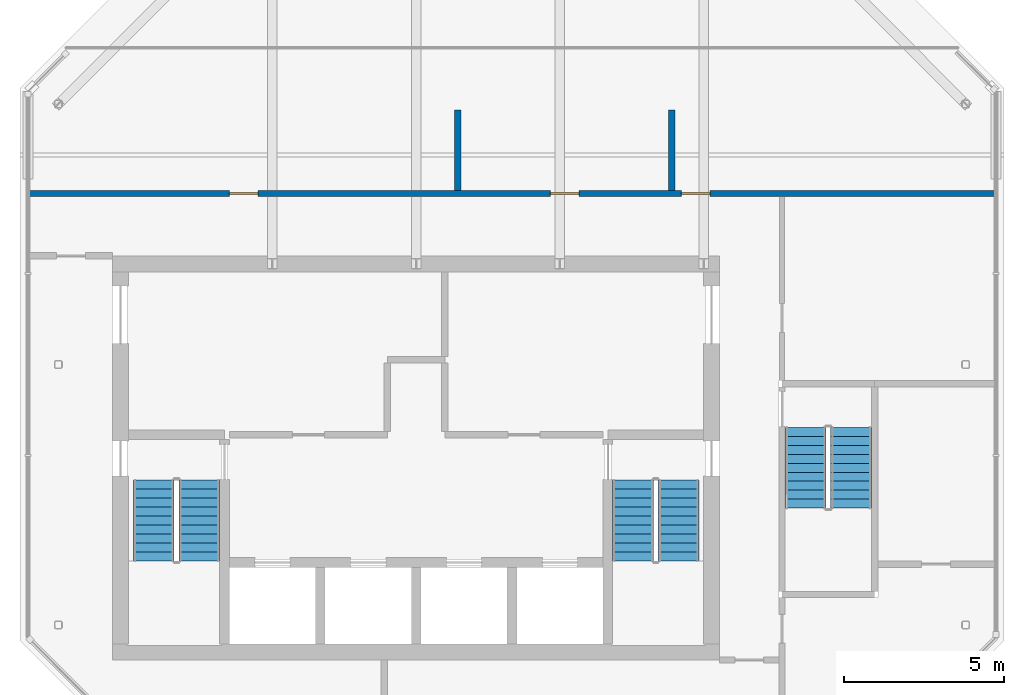
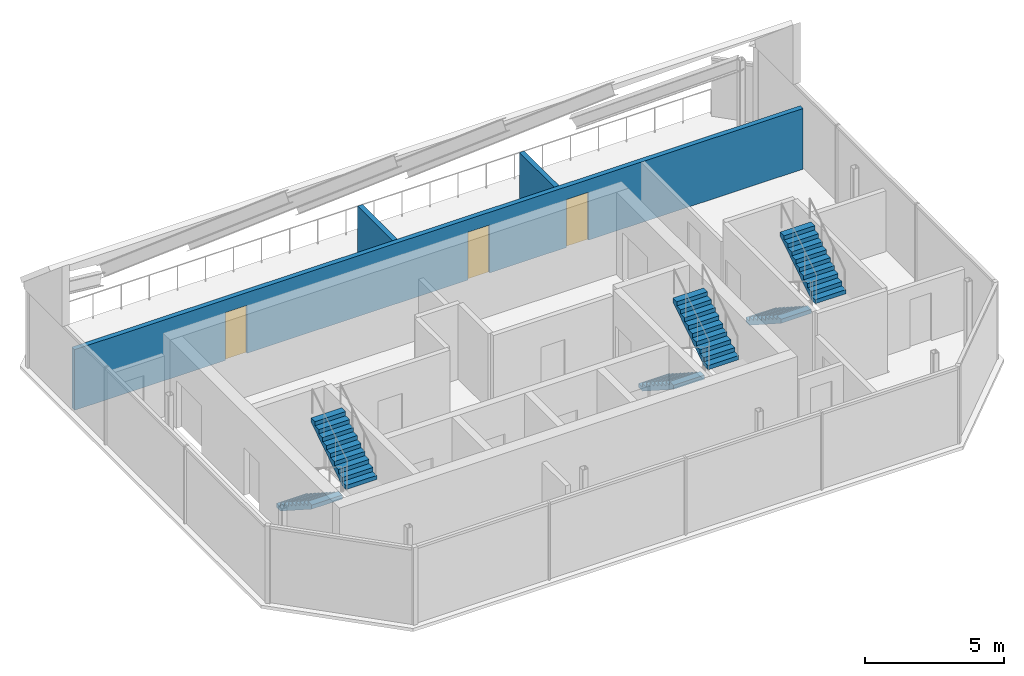
# One storey, part 4 of 5: 6 stair flights, 3 doors, 3 walls, 3 openings, 3 elements without a shape of their own.
"""IFC4 building model written with IfcOpenShell, lengths in metres."""

from ifc_helpers import new_model, si_unit, direction, frame, frame_2d, origin, place, context, subcontext, project, spatial, polyline, rectangle, outline, extrude, material, layer, layer_set, type_object, element, fill, aggregate, save


model = new_model("IFC4")

# Units and contexts
model_context = context("Model", 3, precision=1e-05, world=origin(), true_north=direction((0.0, 1.0)))
body_context = subcontext(model_context, "Body", "Model", "MODEL_VIEW")
ifc_project = project(units=[si_unit("LENGTHUNIT", "METRE"), si_unit("AREAUNIT", "SQUARE_METRE"), si_unit("VOLUMEUNIT", "CUBIC_METRE"), si_unit("PLANEANGLEUNIT", "RADIAN"), si_unit("MASSUNIT", "GRAM", prefix="KILO")], contexts=[model_context])

# Site, building, storey
site_placement = place(None, origin())
site = spatial("IfcSite", under=ifc_project, at=site_placement, CompositionType="ELEMENT")
building_placement = place(site_placement, origin())
building = spatial("IfcBuilding", under=site, at=building_placement, Name="Tskaro Facet Tower", CompositionType="ELEMENT")
storey_placement = place(building_placement, frame((0.0, 0.0, 304.5)))
storey = spatial("IfcBuildingStorey", under=building, at=storey_placement, Name="L82", CompositionType="ELEMENT", Elevation=304.5)

# Wall, openings, doors
ifc_material_1 = material(Name="Concrete C20/25", Category="concrete")
ifc_layer = layer(ifc_material_1, 0.199951171875, Name="Concrete C20/25")
ifc_layer_set = layer_set([ifc_layer], Name="Concrete C20/25")
wall_type = type_object("IfcWallType", Name="WALL-RISER", PredefinedType="SOLIDWALL", material=ifc_layer_set)
wall_placement = place(storey_placement, frame((-12.10009765625, 2.60009765625, 0.0), z_axis=(0.0, 0.0, 1.0), x_axis=(1.0, 0.0, 0.0)))
wall = element("IfcWall", 1, at=wall_placement, inside=storey, type_object=wall_type, Name="Riser room wall W013", PredefinedType="SOLIDWALL", context=body_context, shape_type="SweptSolid", body=[
    extrude(rectangle(XDim=30.2001953125, YDim=0.199951171875, at=frame_2d((15.10009765625, 0.0))), origin(), (0.0, 0.0, 1.0), 2.659912109375),
])
opening_1_placement = place(wall_placement, frame((6.25, 0.0, 0.0)))
opening_1 = element("IfcOpeningElement", 2, at=opening_1_placement, cuts=wall, Name="Opening C82-D10", PredefinedType="OPENING", context=body_context, shape_type="SweptSolid", body=[
    extrude(rectangle(XDim=0.89990234375, YDim=2.10009765625, at=frame_2d((0.449951171875, 1.050048828125))), frame((0.0, 0.10986328125, 0.0), z_axis=(0.0, -1.0, 0.0), x_axis=(1.0, 0.0, 0.0)), (0.0, 0.0, 1.0), 0.219970703125),
])
opening_2_placement = place(wall_placement, frame((16.300048828125, 0.0, 0.0)))
opening_2 = element("IfcOpeningElement", 3, at=opening_2_placement, cuts=wall, Name="Opening C82-D11", PredefinedType="OPENING", context=body_context, shape_type="SweptSolid", body=[
    extrude(rectangle(XDim=0.89990234375, YDim=2.10009765625, at=frame_2d((0.449951171875, 1.050048828125))), frame((0.0, 0.10986328125, 0.0), z_axis=(0.0, -1.0, 0.0), x_axis=(1.0, 0.0, 0.0)), (0.0, 0.0, 1.0), 0.219970703125),
])
opening_3_placement = place(wall_placement, frame((20.39990234375, 0.0, 0.0)))
opening_3 = element("IfcOpeningElement", 4, at=opening_3_placement, cuts=wall, Name="Opening C82-D12", PredefinedType="OPENING", context=body_context, shape_type="SweptSolid", body=[
    extrude(rectangle(XDim=0.89990234375, YDim=2.10009765625, at=frame_2d((0.449951171875, 1.050048828125))), frame((0.0, 0.10986328125, 0.0), z_axis=(0.0, -1.0, 0.0), x_axis=(1.0, 0.0, 0.0)), (0.0, 0.0, 1.0), 0.219970703125),
])
ifc_material_2 = material(Name="Steel", Category="steel")
door_type = type_object("IfcDoorType", Name="D-RISER", OperationType="NOTDEFINED", PredefinedType="DOOR", material=ifc_material_2)
door_1_placement = place(opening_1_placement, origin())
door_1 = element("IfcDoor", 5, at=door_1_placement, inside=storey, type_object=door_type, Name="Door C82-D10", OperationType="SINGLE_SWING_LEFT", OverallHeight=2.10009765625, OverallWidth=0.89990234375, PredefinedType="DOOR", context=body_context, shape_type="SweptSolid", body=[
    extrude(rectangle(XDim=0.89990234375, YDim=2.10009765625, at=frame_2d((0.449951171875, 1.050048828125))), frame((0.0, 0.02490234375, 0.0), z_axis=(0.0, -1.0, 0.0), x_axis=(1.0, 0.0, 0.0)), (0.0, 0.0, 1.0), 0.050048828125),
])
fill(opening_1, door_1)
door_2_placement = place(opening_2_placement, origin())
door_2 = element("IfcDoor", 6, at=door_2_placement, inside=storey, type_object=door_type, Name="Door C82-D11", OperationType="SINGLE_SWING_LEFT", OverallHeight=2.10009765625, OverallWidth=0.89990234375, PredefinedType="DOOR", context=body_context, shape_type="SweptSolid", body=[
    extrude(rectangle(XDim=0.89990234375, YDim=2.10009765625, at=frame_2d((0.449951171875, 1.050048828125))), frame((0.0, 0.02490234375, 0.0), z_axis=(0.0, -1.0, 0.0), x_axis=(1.0, 0.0, 0.0)), (0.0, 0.0, 1.0), 0.050048828125),
])
fill(opening_2, door_2)
door_3_placement = place(opening_3_placement, origin())
door_3 = element("IfcDoor", 7, at=door_3_placement, inside=storey, type_object=door_type, Name="Door C82-D12", OperationType="SINGLE_SWING_LEFT", OverallHeight=2.10009765625, OverallWidth=0.89990234375, PredefinedType="DOOR", context=body_context, shape_type="SweptSolid", body=[
    extrude(rectangle(XDim=0.89990234375, YDim=2.10009765625, at=frame_2d((0.449951171875, 1.050048828125))), frame((0.0, 0.02490234375, 0.0), z_axis=(0.0, -1.0, 0.0), x_axis=(1.0, 0.0, 0.0)), (0.0, 0.0, 1.0), 0.050048828125),
])
fill(opening_3, door_3)

# Walls
for number, where, z_axis, x_axis, name in (
    (8, (1.300048828125, 2.699951171875, 0.0), (0.0, 0.0, 1.0), (0.0, 1.0, 0.0), "Riser room wall W022"),
    (9, (8.0, 2.699951171875, 0.0), (0.0, 0.0, 1.0), (0.0, 1.0, 0.0), "Riser room wall W025"),
):
    element("IfcWall", number, at=place(storey_placement, frame(where, z_axis=z_axis, x_axis=x_axis)), inside=storey, type_object=wall_type, Name=name, PredefinedType="SOLIDWALL", context=body_context, shape_type="SweptSolid", body=[
        extrude(rectangle(XDim=2.510009765625, YDim=0.199951171875, at=frame_2d((1.2548828125, 0.0))), origin(), (0.0, 0.0, 1.0), 2.659912109375),
    ])

# Stair, stair flights
ifc_material_3 = material(Name="Concrete C40/50", Category="concrete")
stair_type = type_object("IfcStairType", Name="ST-TWR", PredefinedType="HALF_TURN_STAIR", material=ifc_material_3)
stair_1_placement = place(storey_placement, origin())
stair_1 = element("IfcStair", 10, at=stair_1_placement, inside=storey, type_object=stair_type, Name="L82 Exit stair 1", PredefinedType="HALF_TURN_STAIR")
stair_flight_type = type_object("IfcStairFlightType", Name="SFL-RC", PredefinedType="STRAIGHT", material=ifc_material_3)
stair_flight_1_placement = place(storey_placement, frame((-8.21240234375, -6.375, 0.0), z_axis=(0.0, 0.0, 1.0), x_axis=(0.0, -1.0, 0.0)))
stair_flight_1 = element("IfcStairFlight", 11, at=stair_flight_1_placement, type_object=stair_flight_type, Name="ST-1 flight 1", NumberOfRisers=10, NumberOfTreads=9, PredefinedType="STRAIGHT", RiserHeight=0.18, TreadLength=0.28, context=body_context, shape_type="SweptSolid", body=[
    extrude(outline(polyline([(0.0, 0.0), (0.0, 0.179931640625), (0.280029296875, 0.179931640625), (0.280029296875, 0.360107421875), (0.56005859375, 0.360107421875), (0.56005859375, 0.5400390625), (0.840087890625, 0.5400390625), (0.840087890625, 0.719970703125), (1.1201171875, 0.719970703125), (1.1201171875, 0.89990234375), (1.39990234375, 0.89990234375), (1.39990234375, 1.080078125), (1.679931640625, 1.080078125), (1.679931640625, 1.260009765625), (1.9599609375, 1.260009765625), (1.9599609375, 1.43994140625), (2.239990234375, 1.43994140625), (2.239990234375, 1.6201171875), (2.52001953125, 1.6201171875), (2.52001953125, 1.800048828125), (2.52001953125, 1.44189453125), (0.277099609375, 0.0), (0.0, 0.0)])), frame((0.0, 0.637451171875, 0.0), z_axis=(0.0, -1.0, 0.0), x_axis=(1.0, 0.0, 0.0)), (0.0, 0.0, 1.0), 1.27490234375),
])
stair_flight_2_placement = place(storey_placement, frame((-6.78759765625, -8.89501953125, 1.800048828125), z_axis=(0.0, 0.0, 1.0), x_axis=(0.0, 1.0, 0.0)))
stair_flight_2 = element("IfcStairFlight", 12, at=stair_flight_2_placement, type_object=stair_flight_type, Name="ST-1 flight 2", NumberOfRisers=10, NumberOfTreads=9, PredefinedType="STRAIGHT", RiserHeight=0.18, TreadLength=0.28, context=body_context, shape_type="SweptSolid", body=[
    extrude(outline(polyline([(0.0, 0.0), (0.0, 0.179931640625), (0.280029296875, 0.179931640625), (0.280029296875, 0.360107421875), (0.56005859375, 0.360107421875), (0.56005859375, 0.5400390625), (0.840087890625, 0.5400390625), (0.840087890625, 0.719970703125), (1.1201171875, 0.719970703125), (1.1201171875, 0.89990234375), (1.39990234375, 0.89990234375), (1.39990234375, 1.080078125), (1.679931640625, 1.080078125), (1.679931640625, 1.260009765625), (1.9599609375, 1.260009765625), (1.9599609375, 1.43994140625), (2.239990234375, 1.43994140625), (2.239990234375, 1.6201171875), (2.52001953125, 1.6201171875), (2.52001953125, 1.800048828125), (2.52001953125, 1.44189453125), (0.277099609375, 0.0), (0.0, 0.0)])), frame((0.0, 0.637451171875, 0.0), z_axis=(0.0, -1.0, 0.0), x_axis=(1.0, 0.0, 0.0)), (0.0, 0.0, 1.0), 1.27490234375),
])
aggregate(stair_1, [stair_flight_1, stair_flight_2])

stair_2_placement = place(storey_placement, origin())
stair_2 = element("IfcStair", 13, at=stair_2_placement, inside=storey, type_object=stair_type, Name="L82 Exit stair 2", PredefinedType="HALF_TURN_STAIR")
stair_flight_3_placement = place(storey_placement, frame((6.78759765625, -6.375, 0.0), z_axis=(0.0, 0.0, 1.0), x_axis=(0.0, -1.0, 0.0)))
stair_flight_3 = element("IfcStairFlight", 14, at=stair_flight_3_placement, type_object=stair_flight_type, Name="ST-2 flight 1", NumberOfRisers=10, NumberOfTreads=9, PredefinedType="STRAIGHT", RiserHeight=0.18, TreadLength=0.28, context=body_context, shape_type="SweptSolid", body=[
    extrude(outline(polyline([(0.0, 0.0), (0.0, 0.179931640625), (0.280029296875, 0.179931640625), (0.280029296875, 0.360107421875), (0.56005859375, 0.360107421875), (0.56005859375, 0.5400390625), (0.840087890625, 0.5400390625), (0.840087890625, 0.719970703125), (1.1201171875, 0.719970703125), (1.1201171875, 0.89990234375), (1.39990234375, 0.89990234375), (1.39990234375, 1.080078125), (1.679931640625, 1.080078125), (1.679931640625, 1.260009765625), (1.9599609375, 1.260009765625), (1.9599609375, 1.43994140625), (2.239990234375, 1.43994140625), (2.239990234375, 1.6201171875), (2.52001953125, 1.6201171875), (2.52001953125, 1.800048828125), (2.52001953125, 1.44189453125), (0.277099609375, 0.0), (0.0, 0.0)])), frame((0.0, 0.637451171875, 0.0), z_axis=(0.0, -1.0, 0.0), x_axis=(1.0, 0.0, 0.0)), (0.0, 0.0, 1.0), 1.27490234375),
])
stair_flight_4_placement = place(storey_placement, frame((8.21240234375, -8.89501953125, 1.800048828125), z_axis=(0.0, 0.0, 1.0), x_axis=(0.0, 1.0, 0.0)))
stair_flight_4 = element("IfcStairFlight", 15, at=stair_flight_4_placement, type_object=stair_flight_type, Name="ST-2 flight 2", NumberOfRisers=10, NumberOfTreads=9, PredefinedType="STRAIGHT", RiserHeight=0.18, TreadLength=0.28, context=body_context, shape_type="SweptSolid", body=[
    extrude(outline(polyline([(0.0, 0.0), (0.0, 0.179931640625), (0.280029296875, 0.179931640625), (0.280029296875, 0.360107421875), (0.56005859375, 0.360107421875), (0.56005859375, 0.5400390625), (0.840087890625, 0.5400390625), (0.840087890625, 0.719970703125), (1.1201171875, 0.719970703125), (1.1201171875, 0.89990234375), (1.39990234375, 0.89990234375), (1.39990234375, 1.080078125), (1.679931640625, 1.080078125), (1.679931640625, 1.260009765625), (1.9599609375, 1.260009765625), (1.9599609375, 1.43994140625), (2.239990234375, 1.43994140625), (2.239990234375, 1.6201171875), (2.52001953125, 1.6201171875), (2.52001953125, 1.800048828125), (2.52001953125, 1.44189453125), (0.277099609375, 0.0), (0.0, 0.0)])), frame((0.0, 0.637451171875, 0.0), z_axis=(0.0, -1.0, 0.0), x_axis=(1.0, 0.0, 0.0)), (0.0, 0.0, 1.0), 1.27490234375),
])
aggregate(stair_2, [stair_flight_3, stair_flight_4])

stair_3_placement = place(storey_placement, origin())
stair_3 = element("IfcStair", 16, at=stair_3_placement, inside=storey, type_object=stair_type, Name="L82 Exit stair 4", PredefinedType="HALF_TURN_STAIR")
stair_flight_5_placement = place(storey_placement, frame((12.1875, -4.72509765625, 0.0), z_axis=(0.0, 0.0, 1.0), x_axis=(0.0, -1.0, 0.0)))
stair_flight_5 = element("IfcStairFlight", 17, at=stair_flight_5_placement, type_object=stair_flight_type, Name="ST-4 flight 1", NumberOfRisers=10, NumberOfTreads=9, PredefinedType="STRAIGHT", RiserHeight=0.18, TreadLength=0.28, context=body_context, shape_type="SweptSolid", body=[
    extrude(outline(polyline([(0.0, 0.0), (0.0, 0.179931640625), (0.280029296875, 0.179931640625), (0.280029296875, 0.360107421875), (0.56005859375, 0.360107421875), (0.56005859375, 0.5400390625), (0.840087890625, 0.5400390625), (0.840087890625, 0.719970703125), (1.1201171875, 0.719970703125), (1.1201171875, 0.89990234375), (1.39990234375, 0.89990234375), (1.39990234375, 1.080078125), (1.679931640625, 1.080078125), (1.679931640625, 1.260009765625), (1.9599609375, 1.260009765625), (1.9599609375, 1.43994140625), (2.239990234375, 1.43994140625), (2.239990234375, 1.6201171875), (2.52001953125, 1.6201171875), (2.52001953125, 1.800048828125), (2.52001953125, 1.44189453125), (0.277099609375, 0.0), (0.0, 0.0)])), frame((0.0, 0.637451171875, 0.0), z_axis=(0.0, -1.0, 0.0), x_axis=(1.0, 0.0, 0.0)), (0.0, 0.0, 1.0), 1.27490234375),
])
stair_flight_6_placement = place(storey_placement, frame((13.612548828125, -7.2451171875, 1.800048828125), z_axis=(0.0, 0.0, 1.0), x_axis=(0.0, 1.0, 0.0)))
stair_flight_6 = element("IfcStairFlight", 18, at=stair_flight_6_placement, type_object=stair_flight_type, Name="ST-4 flight 2", NumberOfRisers=10, NumberOfTreads=9, PredefinedType="STRAIGHT", RiserHeight=0.18, TreadLength=0.28, context=body_context, shape_type="SweptSolid", body=[
    extrude(outline(polyline([(0.0, 0.0), (0.0, 0.179931640625), (0.280029296875, 0.179931640625), (0.280029296875, 0.360107421875), (0.56005859375, 0.360107421875), (0.56005859375, 0.5400390625), (0.840087890625, 0.5400390625), (0.840087890625, 0.719970703125), (1.1201171875, 0.719970703125), (1.1201171875, 0.89990234375), (1.39990234375, 0.89990234375), (1.39990234375, 1.080078125), (1.679931640625, 1.080078125), (1.679931640625, 1.260009765625), (1.9599609375, 1.260009765625), (1.9599609375, 1.43994140625), (2.239990234375, 1.43994140625), (2.239990234375, 1.6201171875), (2.52001953125, 1.6201171875), (2.52001953125, 1.800048828125), (2.52001953125, 1.44189453125), (0.277099609375, 0.0), (0.0, 0.0)])), frame((0.0, 0.637451171875, 0.0), z_axis=(0.0, -1.0, 0.0), x_axis=(1.0, 0.0, 0.0)), (0.0, 0.0, 1.0), 1.27490234375),
])
aggregate(stair_3, [stair_flight_5, stair_flight_6])

save(model, "model.ifc")
